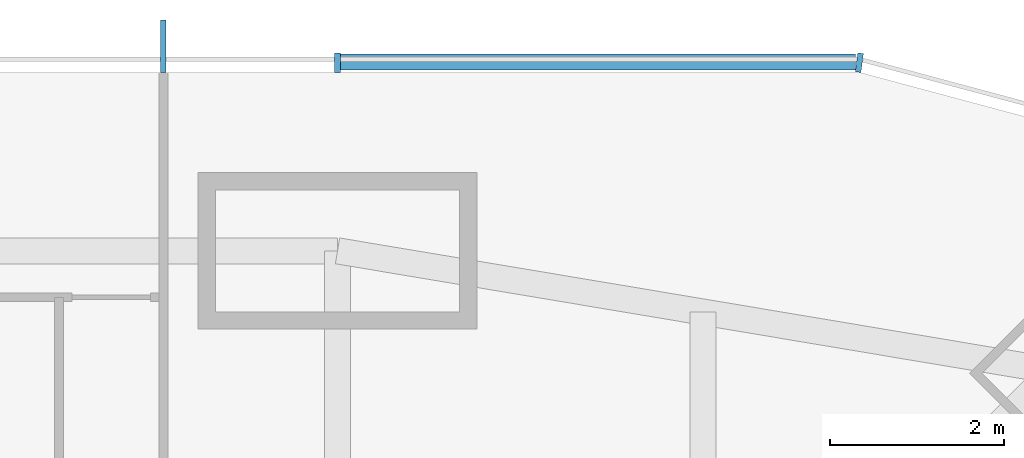
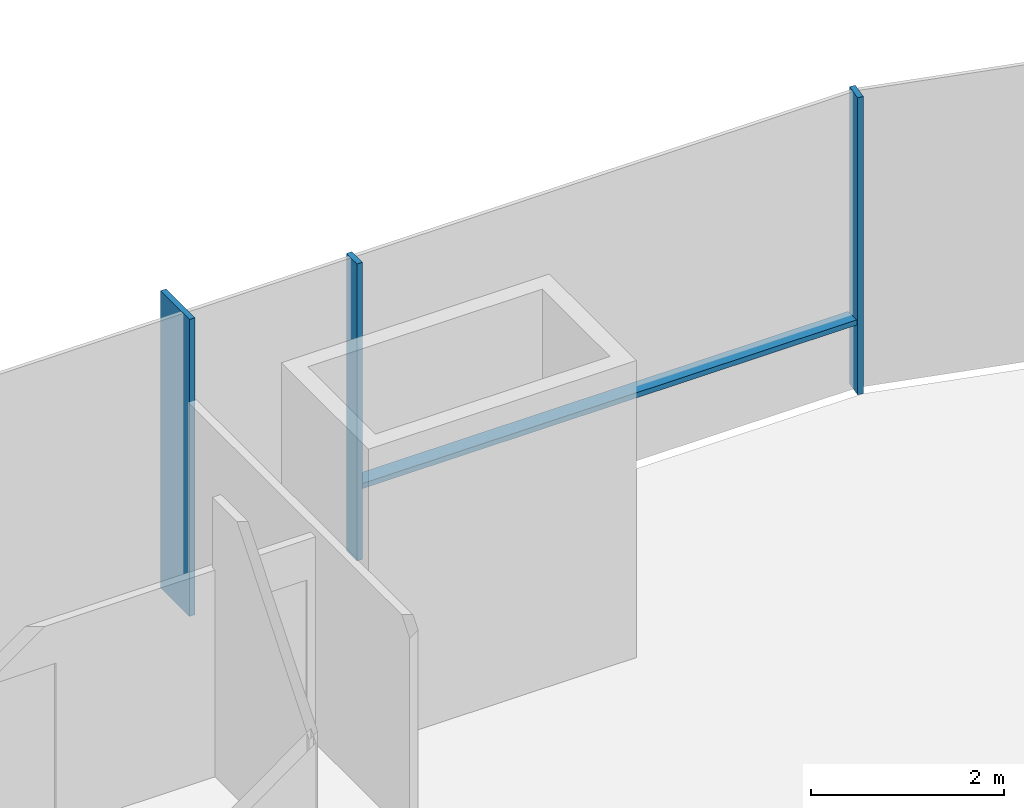
# One storey, part 12 of 20: 4 members, 1 element without a shape of its own.
"""IFC4 building model written with IfcOpenShell, lengths in metres."""

from ifc_helpers import new_model, si_unit, direction, frame, origin, origin_2d, place, context, subcontext, project, spatial, rectangle, extrude, material, material_profile, profile_set, type_object, element, aggregate, save


model = new_model("IFC4")

# Units and contexts
model_context = context("Model", 3, precision=1e-05, world=origin(), true_north=direction((0.0, 1.0)))
body_context = subcontext(model_context, "Body", "Model", "MODEL_VIEW")
ifc_project = project(units=[si_unit("LENGTHUNIT", "METRE"), si_unit("AREAUNIT", "SQUARE_METRE"), si_unit("VOLUMEUNIT", "CUBIC_METRE"), si_unit("PLANEANGLEUNIT", "RADIAN"), si_unit("MASSUNIT", "GRAM", prefix="KILO")], contexts=[model_context])

# Site, building, storey
site_placement = place(None, origin())
site = spatial("IfcSite", under=ifc_project, at=site_placement, CompositionType="ELEMENT")
building_placement = place(site_placement, origin())
building = spatial("IfcBuilding", under=site, at=building_placement, Name="Khuree Lantern Residences", CompositionType="ELEMENT")
storey_placement = place(building_placement, frame((0.0, 0.0, 24.75)))
storey = spatial("IfcBuildingStorey", under=building, at=storey_placement, Name="L05", CompositionType="ELEMENT", Elevation=24.75)

# Curtain wall, members
ifc_material = material(Name="Bronze anodised aluminium", Category="aluminium")
curtain_wall_type = type_object("IfcCurtainWallType", Name="CW-T1 TOWER FACE CURTAIN WALL", PredefinedType="USERDEFINED", material=ifc_material)
curtain_wall_placement = place(storey_placement, origin())
curtain_wall = element("IfcCurtainWall", 1, at=curtain_wall_placement, inside=storey, type_object=curtain_wall_type, Name="L05 NORTH FACE CURTAIN WALL", ObjectType="Stick-built curtain wall", PredefinedType="USERDEFINED")
ifc_material_profile_1 = material_profile(ifc_material, rectangle(XDim=0.06494140625, YDim=0.60009765625, at=origin_2d()), Name="F1 65X600")
ifc_profile_set_1 = profile_set([ifc_material_profile_1], Name="Bronze anodised aluminium")
member_type_1 = type_object("IfcMemberType", Name="F1 BRONZE FIN MULLION TOWER 65X600", PredefinedType="MULLION", material=ifc_profile_set_1)
member_1_placement = place(storey_placement, frame((18.0, 32.14990234375, 0.0), z_axis=(0.0, 0.0, 1.0), x_axis=(-1.0, 0.0, 0.0)))
member_1 = element("IfcMember", 2, at=member_1_placement, type_object=member_type_1, Name="L05 NORTH FACE FIN MULLION 20", PredefinedType="MULLION", context=body_context, shape_type="SweptSolid", body=[
    extrude(rectangle(XDim=0.06494140625, YDim=0.60009765625, at=origin_2d()), origin(), (0.0, 0.0, 1.0), 3.75),
])
ifc_material_profile_2 = material_profile(ifc_material, rectangle(XDim=0.06494140625, YDim=0.219970703125, at=origin_2d()), Name="M1 65X220")
ifc_profile_set_2 = profile_set([ifc_material_profile_2], Name="Bronze anodised aluminium")
member_type_2 = type_object("IfcMemberType", Name="M1 BRONZE MULLION TOWER 65X220", PredefinedType="MULLION", material=ifc_profile_set_2)
member_2_placement = place(storey_placement, frame((25.994873046875, 31.961669921875, 0.0), z_axis=(0.0, 0.0, 1.0), x_axis=(-0.991444852794, 0.130526257387, 0.0)))
member_2 = element("IfcMember", 3, at=member_2_placement, type_object=member_type_2, Name="L05 NORTH FACE MULLION 18", PredefinedType="MULLION", context=body_context, shape_type="SweptSolid", body=[
    extrude(rectangle(XDim=0.06494140625, YDim=0.219970703125, at=origin_2d()), origin(), (0.0, 0.0, 1.0), 3.75),
])
member_3_placement = place(storey_placement, frame((20.0, 31.9599609375, 0.0), z_axis=(0.0, 0.0, 1.0), x_axis=(-1.0, 0.0, 0.0)))
member_3 = element("IfcMember", 4, at=member_3_placement, type_object=member_type_2, Name="L05 NORTH FACE MULLION 19", PredefinedType="MULLION", context=body_context, shape_type="SweptSolid", body=[
    extrude(rectangle(XDim=0.06494140625, YDim=0.219970703125, at=origin_2d()), origin(), (0.0, 0.0, 1.0), 3.75),
])
ifc_material_profile_3 = material_profile(ifc_material, rectangle(XDim=0.179931640625, YDim=0.06494140625, at=origin_2d()), Name="T1 180X65")
ifc_profile_set_3 = profile_set([ifc_material_profile_3], Name="Bronze anodised aluminium")
member_type_3 = type_object("IfcMemberType", Name="TRANSOM T1 TOWER 180X65", PredefinedType="USERDEFINED", material=ifc_profile_set_3)
member_4_placement = place(storey_placement, frame((25.951416015625, 31.969970703125, 0.89990234375), z_axis=(-1.0, 0.0, 0.0), x_axis=(0.0, -1.0, 0.0)))
member_4 = element("IfcMember", 5, at=member_4_placement, type_object=member_type_3, Name="L05 NORTH FACE TRANSOM 18.1", ObjectType="Transom", PredefinedType="USERDEFINED", context=body_context, shape_type="SweptSolid", body=[
    extrude(rectangle(XDim=0.179931640625, YDim=0.06494140625, at=origin_2d()), origin(), (0.0, 0.0, 1.0), 5.9189453125),
])
aggregate(curtain_wall, [member_2, member_3, member_1, member_4])

save(model, "model.ifc")
